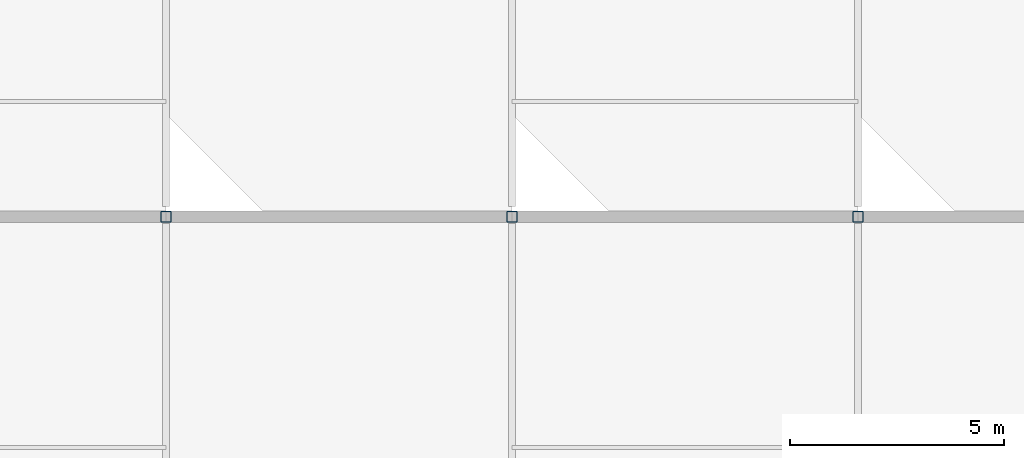
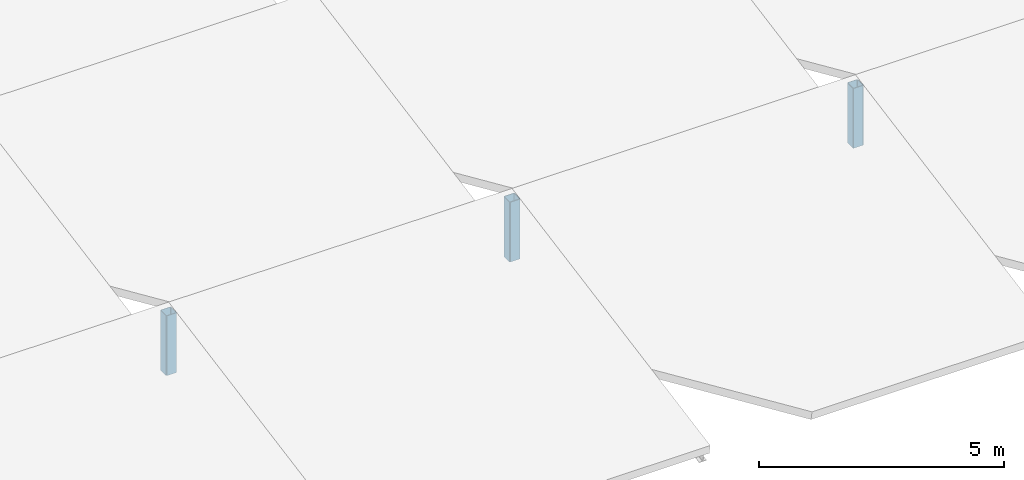
# One storey, part 3 of 33: 3 columns.
"""IFC4 building model written with IfcOpenShell, lengths in metres."""

from ifc_helpers import new_model, si_unit, direction, frame, origin, origin_2d, place, context, subcontext, project, spatial, hollow_rectangle, extrude, material, material_profile, profile_set, type_object, element, save


model = new_model("IFC4")

# Units and contexts
model_context = context("Model", 3, precision=1e-05, world=origin(), true_north=direction((0.0, 1.0)))
body_context = subcontext(model_context, "Body", "Model", "MODEL_VIEW")
ifc_project = project(units=[si_unit("LENGTHUNIT", "METRE"), si_unit("AREAUNIT", "SQUARE_METRE"), si_unit("VOLUMEUNIT", "CUBIC_METRE"), si_unit("PLANEANGLEUNIT", "RADIAN"), si_unit("MASSUNIT", "GRAM", prefix="KILO")], contexts=[model_context])

# Site, building, storey
site_placement = place(None, origin())
site = spatial("IfcSite", under=ifc_project, at=site_placement, CompositionType="ELEMENT")
building_placement = place(site_placement, origin())
building = spatial("IfcBuilding", under=site, at=building_placement, Name="Vaudrelin Polytechnic", CompositionType="ELEMENT")
storey_placement = place(building_placement, frame((0.0, 0.0, 27.3701171875)))
storey = spatial("IfcBuildingStorey", under=building, at=storey_placement, Name="L06", CompositionType="ELEMENT", Elevation=27.3701171875)

# Columns
ifc_material = material(Name="Steel CSA G40.21 350W", Category="steel")
ifc_material_profile = material_profile(ifc_material, hollow_rectangle(XDim=0.25390625, YDim=0.25390625, WallThickness=0.0126953125, InnerFilletRadius=0.0126953125, OuterFilletRadius=0.025390625, at=origin_2d()), Name="HSS254x254x12.7")
ifc_profile_set = profile_set([ifc_material_profile], Name="Steel CSA G40.21 350W")
column_type = type_object("IfcColumnType", Name="COL-C-HSS254", PredefinedType="COLUMN", material=ifc_profile_set)
for number, where, z_axis, x_axis, name in (
    (1, (56.699951171875, 105.300048828125, 0.0), (0.0, 0.0, 1.0), (1.0, 0.0, 0.0), "Sawtooth north clerestory post 7-13"),
    (2, (64.800048828125, 105.300048828125, 0.0), (0.0, 0.0, 1.0), (1.0, 0.0, 0.0), "Sawtooth north clerestory post 8-13"),
    (3, (72.89990234375, 105.300048828125, 0.0), (0.0, 0.0, 1.0), (1.0, 0.0, 0.0), "Sawtooth north clerestory post 9-13"),
):
    element("IfcColumn", number, at=place(storey_placement, frame(where, z_axis=z_axis, x_axis=x_axis)), inside=storey, type_object=column_type, Name=name, PredefinedType="COLUMN", context=body_context, shape_type="SweptSolid", body=[
        extrude(hollow_rectangle(XDim=0.25390625, YDim=0.25390625, WallThickness=0.0126953125, InnerFilletRadius=0.0126953125, OuterFilletRadius=0.025390625, at=origin_2d()), origin(), (0.0, 0.0, 1.0), 1.490966796875),
    ])

save(model, "model.ifc")
